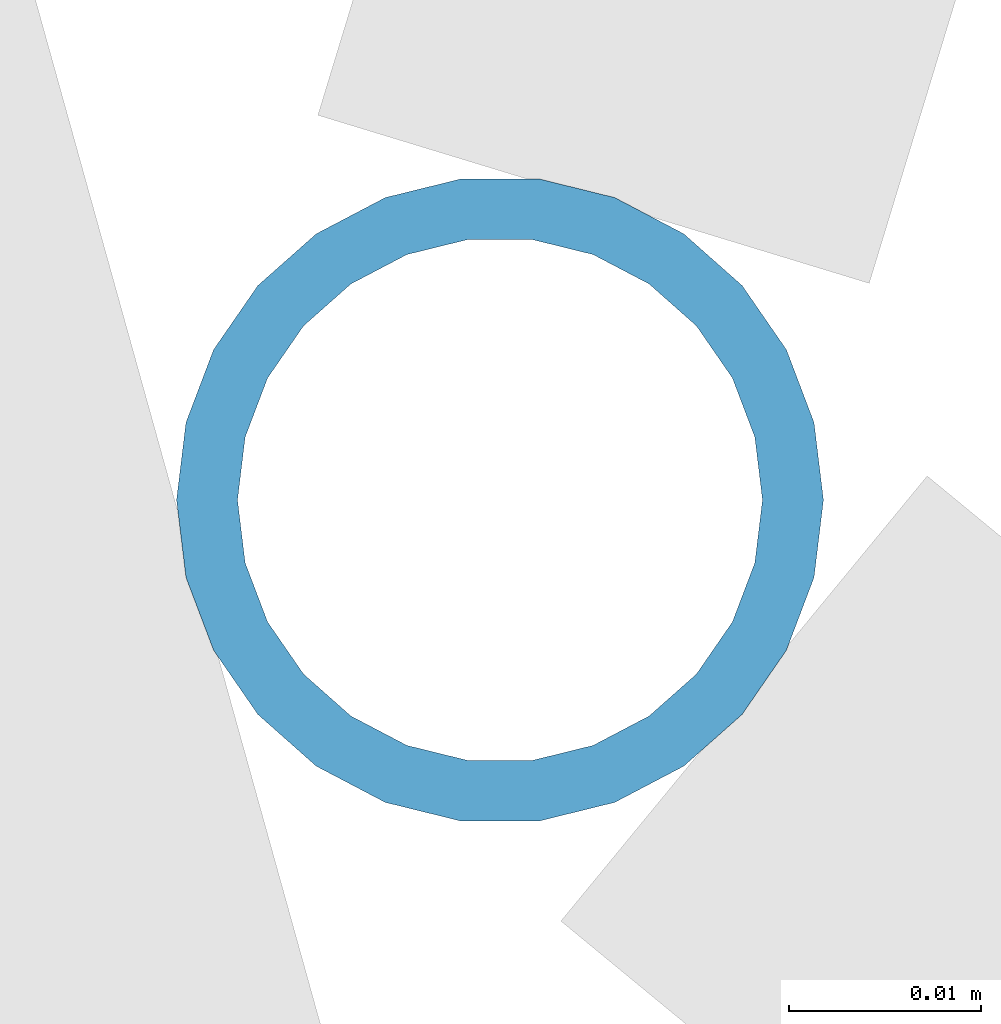
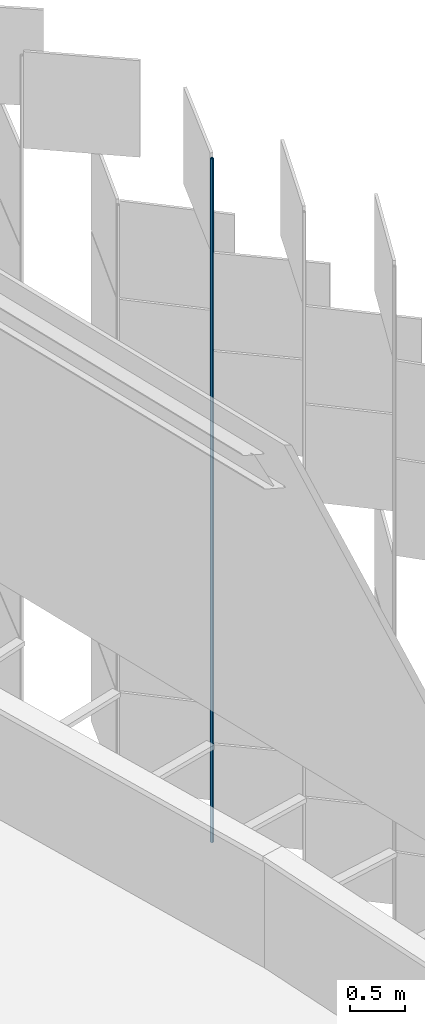
# One storey, part 301 of 483: 1 discrete accessory.
"""IFC4 building model written with IfcOpenShell, lengths in metres."""

from ifc_helpers import new_model, si_unit, direction, frame, origin, origin_2d, place, context, subcontext, project, spatial, hollow_circle, extrude, material, material_profile, profile_set, type_object, element, save


model = new_model("IFC4")

# Units and contexts
model_context = context("Model", 3, precision=1e-05, world=origin(), true_north=direction((0.0, 1.0)))
body_context = subcontext(model_context, "Body", "Model", "MODEL_VIEW")
ifc_project = project(units=[si_unit("LENGTHUNIT", "METRE"), si_unit("AREAUNIT", "SQUARE_METRE"), si_unit("VOLUMEUNIT", "CUBIC_METRE"), si_unit("PLANEANGLEUNIT", "RADIAN"), si_unit("MASSUNIT", "GRAM", prefix="KILO")], contexts=[model_context])

# Site, building, storey
site_placement = place(None, origin())
site = spatial("IfcSite", under=ifc_project, at=site_placement, CompositionType="ELEMENT")
building_placement = place(site_placement, origin())
building = spatial("IfcBuilding", under=site, at=building_placement, Name="Parallax Yard Mobility Hub", CompositionType="ELEMENT")
storey_placement = place(building_placement, frame((0.0, 0.0, 13.199951171875)))
storey = spatial("IfcBuildingStorey", under=building, at=storey_placement, Name="L04", CompositionType="ELEMENT", Elevation=13.199951171875)

# Discrete accessory
ifc_material = material(Name="Steel ASTM A500 Gr C, hot-dip galvanised", Category="steel")
ifc_material_profile = material_profile(ifc_material, hollow_circle(Radius=0.016845703125, WallThickness=0.003173828125, at=origin_2d()), Name="CHS 33.7x3.2")
ifc_profile_set = profile_set([ifc_material_profile], Name="Steel ASTM A500 Gr C, hot-dip galvanised")
discrete_accessory_type = type_object("IfcDiscreteAccessoryType", Name="Hinge post CHS 33.7x3.2", PredefinedType="BRACKET", material=ifc_profile_set)
discrete_accessory_placement = place(storey_placement, frame((223.896728515625, 104.18603515625, 0.0), z_axis=(0.0, 0.0, 1.0), x_axis=(1.0, 0.0, 0.0)))
element("IfcDiscreteAccessory", 1, at=discrete_accessory_placement, inside=storey, type_object=discrete_accessory_type, Name="Hinge post bay 42.6 level L04", PredefinedType="BRACKET", context=body_context, shape_type="SweptSolid", body=[
    extrude(hollow_circle(Radius=0.016845703125, WallThickness=0.003173828125, at=origin_2d()), origin(), (0.0, 0.0, 1.0), 7.650146484375),
])

save(model, "model.ifc")
